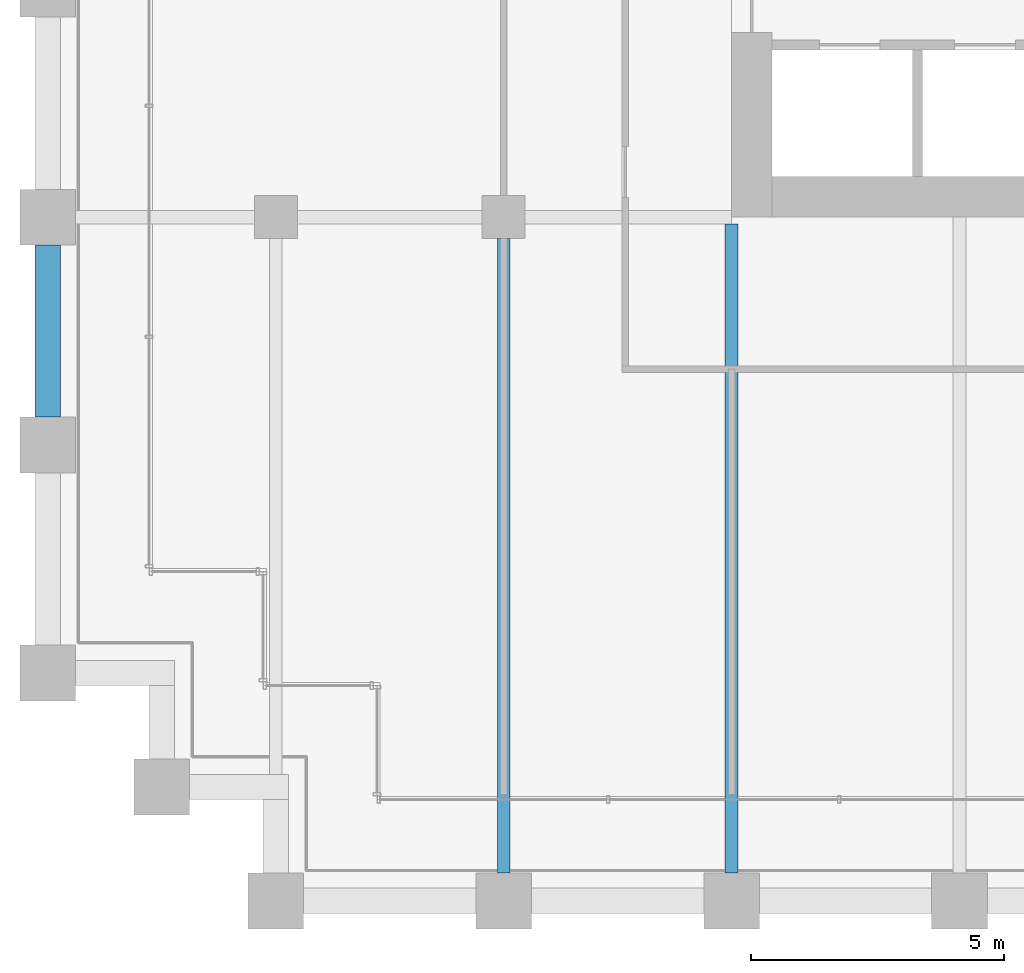
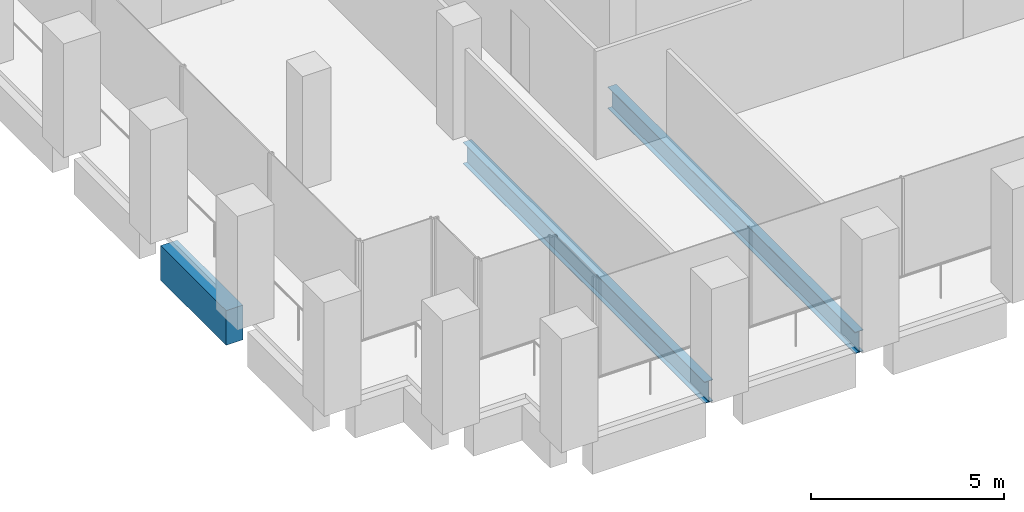
# One storey, part 4 of 54: 3 beams.
"""IFC4 building model written with IfcOpenShell, lengths in metres."""

from ifc_helpers import new_model, si_unit, direction, frame, origin, origin_2d, place, context, subcontext, project, spatial, rectangle, i_section, extrude, material, material_profile, profile_set, type_object, element, save


model = new_model("IFC4")

# Units and contexts
model_context = context("Model", 3, precision=1e-05, world=origin(), true_north=direction((0.0, 1.0)))
body_context = subcontext(model_context, "Body", "Model", "MODEL_VIEW")
ifc_project = project(units=[si_unit("LENGTHUNIT", "METRE"), si_unit("AREAUNIT", "SQUARE_METRE"), si_unit("VOLUMEUNIT", "CUBIC_METRE"), si_unit("PLANEANGLEUNIT", "RADIAN"), si_unit("MASSUNIT", "GRAM", prefix="KILO")], contexts=[model_context])

# Site, building, storey
site_placement = place(None, origin())
site = spatial("IfcSite", under=ifc_project, at=site_placement, CompositionType="ELEMENT")
building_placement = place(site_placement, origin())
building = spatial("IfcBuilding", under=site, at=building_placement, Name="Altepetl Exchange Towers", CompositionType="ELEMENT")
storey_placement = place(building_placement, frame((0.0, 0.0, 65.39990234375)))
storey = spatial("IfcBuildingStorey", under=building, at=storey_placement, Name="L15", CompositionType="ELEMENT", Elevation=65.39990234375)

# Beams
ifc_material_1 = material(Name="Steel S355", Category="steel")
ifc_material_profile_1 = material_profile(ifc_material_1, i_section(OverallWidth=0.25390625, OverallDepth=0.68408203125, WebThickness=0.012451171875, FlangeThickness=0.018798828125, at=origin_2d()), Name="W27X94")
ifc_profile_set_1 = profile_set([ifc_material_profile_1], Name="Steel S355")
beam_type_1 = type_object("IfcBeamType", Name="Floor beam W27X94", PredefinedType="BEAM", material=ifc_profile_set_1)
beam_1_placement = place(storey_placement, frame((36.0, 27.550048828125, -0.491943359375), z_axis=(0.0, 1.0, 0.0), x_axis=(-1.0, 0.0, 0.0)))
element("IfcBeam", 1, at=beam_1_placement, inside=storey, type_object=beam_type_1, Name="bm:A:L15:013", PredefinedType="BEAM", context=body_context, shape_type="SweptSolid", body=[
    extrude(i_section(OverallWidth=0.25390625, OverallDepth=0.68408203125, WebThickness=0.012451171875, FlangeThickness=0.018798828125, at=origin_2d()), origin(), (0.0, 0.0, 1.0), 12.52490234375),
])
beam_2_placement = place(storey_placement, frame((40.5, 27.550048828125, -0.491943359375), z_axis=(0.0, 1.0, 0.0), x_axis=(-1.0, 0.0, 0.0)))
element("IfcBeam", 2, at=beam_2_placement, inside=storey, type_object=beam_type_1, Name="bm:A:L15:014", PredefinedType="BEAM", context=body_context, shape_type="SweptSolid", body=[
    extrude(i_section(OverallWidth=0.25390625, OverallDepth=0.68408203125, WebThickness=0.012451171875, FlangeThickness=0.018798828125, at=origin_2d()), origin(), (0.0, 0.0, 1.0), 12.81591796875),
])
ifc_material_2 = material(Name="Concrete C50/60 precast with cantera blanca facing", Category="concrete")
ifc_material_profile_2 = material_profile(ifc_material_2, rectangle(XDim=0.5, YDim=1.10009765625, at=origin_2d()), Name="500 x 1100")
ifc_profile_set_2 = profile_set([ifc_material_profile_2], Name="Concrete C50/60 precast with cantera blanca facing")
beam_type_2 = type_object("IfcBeamType", Name="Spandrel beam 500x1100 cantera blanca", PredefinedType="SPANDREL", material=ifc_profile_set_2)
beam_3_placement = place(storey_placement, frame((27.0, 39.949951171875, -0.699951171875), z_axis=(0.0, -1.0, 0.0), x_axis=(1.0, 0.0, 0.0)))
element("IfcBeam", 3, at=beam_3_placement, inside=storey, type_object=beam_type_2, Name="sp:A:L15:042", PredefinedType="SPANDREL", context=body_context, shape_type="SweptSolid", body=[
    extrude(rectangle(XDim=0.5, YDim=1.10009765625, at=origin_2d()), origin(), (0.0, 0.0, 1.0), 3.39990234375),
])

save(model, "model.ifc")
